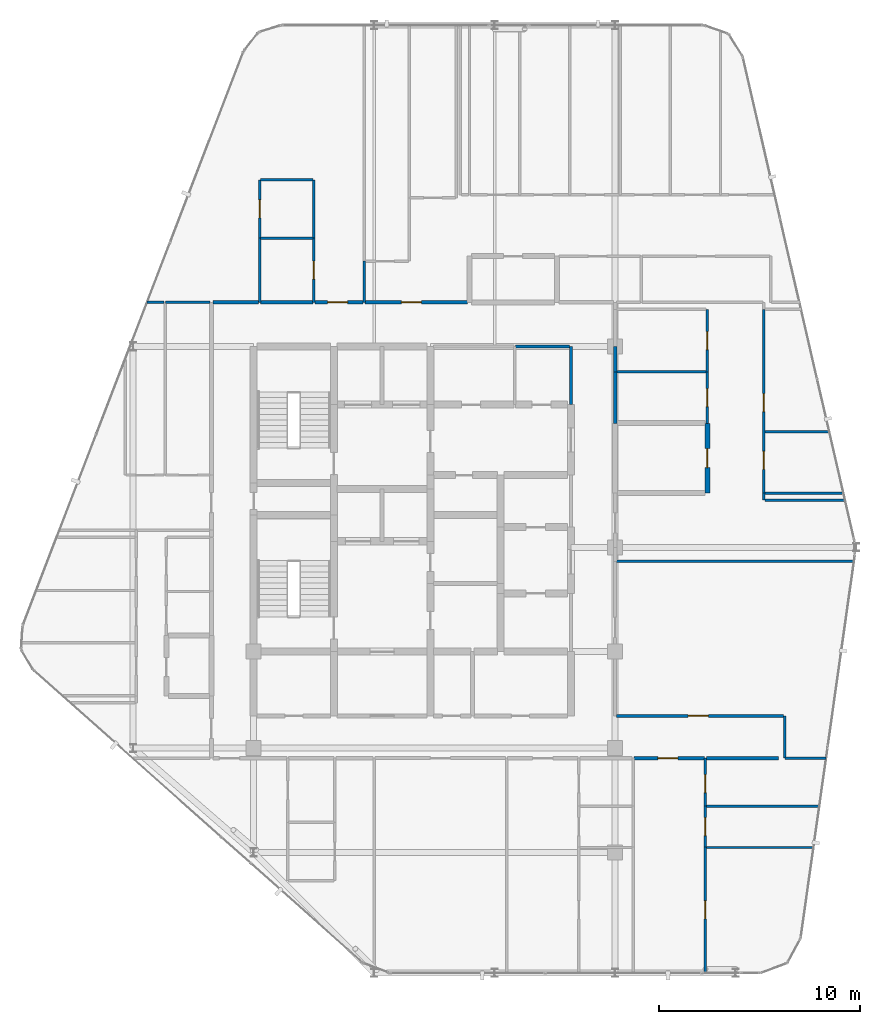
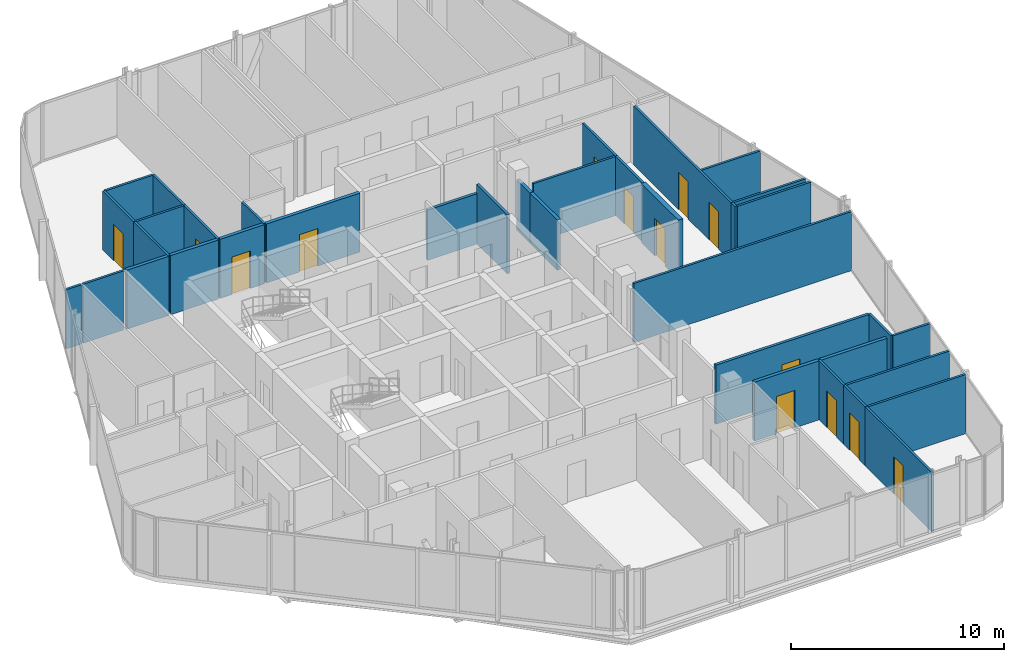
# One storey, part 28 of 30: 37 walls, 14 doors, 14 openings.
"""IFC4 building model written with IfcOpenShell, lengths in metres."""

import ifcopenshell
import ifcopenshell.guid

model = None  # the IFC model being written
_history = None  # IfcOwnerHistory: only IFC2X3 demands one
_inside = {}  # id of a spatial element -> (the spatial element, [elements in it])
_under = {}  # id of a project, library or spatial element -> (it, [spatial elements below it])
_declared = {}  # id of a project -> (the project, [libraries it declares])
_typed = {}  # id of a type object -> (the type object, [elements of that type])
_made_of = {}  # id of a material, layer set ... -> (it, [elements and type objects made of it])


def new_model(schema):
    """Start an empty IFC model of exactly this schema.

    Asked for "IFC4X3", IfcOpenShell would pick the latest addendum, in which some entities
    have other attributes; the version numbers below select the first issue.
    IFC2X3 requires an IfcOwnerHistory on every rooted entity: one is made here for all.
    """
    global model, _history
    if schema == "IFC4X3":
        model = ifcopenshell.file(schema_version=(4, 3, 0, 0))
    else:
        model = ifcopenshell.file(schema=schema)
    _inside.clear()
    _under.clear()
    _declared.clear()
    _typed.clear()
    _made_of.clear()
    _history = None
    if model.schema == "IFC2X3":
        org = make("IfcOrganization", Name="unknown")
        user = make(
            "IfcPersonAndOrganization",
            ThePerson=make("IfcPerson", FamilyName="unknown"),
            TheOrganization=org,
        )
        app = make(
            "IfcApplication",
            ApplicationDeveloper=org,
            Version="unknown",
            ApplicationFullName="unknown",
            ApplicationIdentifier="unknown",
        )
        _history = make(
            "IfcOwnerHistory",
            OwningUser=user,
            OwningApplication=app,
            ChangeAction="ADDED",
            CreationDate=0,
        )
    return model


def make(cls, **values):
    """One entity of the class cls with the attributes given. An attribute that is None is left unset."""
    return model.create_entity(
        cls, **{name: value for name, value in values.items() if value is not None}
    )


def rooted(cls, **values):
    """An entity with a GlobalId (a new one), such as an element, a storey or a relation."""
    return make(cls, GlobalId=ifcopenshell.guid.new(), OwnerHistory=_history, **values)


def si_unit(unit_type, name, prefix=None):
    """IfcSIUnit, for example si_unit("LENGTHUNIT", "METRE", prefix="MILLI")."""
    return make("IfcSIUnit", UnitType=unit_type, Prefix=prefix, Name=name)


def assignment(units):
    """IfcUnitAssignment: the units of a project."""
    return None if units is None else make("IfcUnitAssignment", Units=units)


def point(xyz):
    """IfcCartesianPoint."""
    return None if xyz is None else make("IfcCartesianPoint", Coordinates=xyz)


def direction(xyz):
    """IfcDirection."""
    return None if xyz is None else make("IfcDirection", DirectionRatios=xyz)


def frame(location, z_axis=None, x_axis=None):
    """IfcAxis2Placement3D, a coordinate frame: its origin and axes. An axis left out is left unset."""
    return make(
        "IfcAxis2Placement3D",
        Location=point(location),
        Axis=direction(z_axis),
        RefDirection=direction(x_axis),
    )


def frame_2d(location, x_axis=None):
    """IfcAxis2Placement2D, a coordinate frame in the plane: its origin and x axis."""
    return make(
        "IfcAxis2Placement2D", Location=point(location), RefDirection=direction(x_axis)
    )


def origin():
    """The frame at (0, 0, 0) with its axes left unset."""
    return frame((0.0, 0.0, 0.0))


def place(relative_to, where):
    """IfcLocalPlacement: puts the frame where relative to a parent placement (None: the world)."""
    return make(
        "IfcLocalPlacement", PlacementRelTo=relative_to, RelativePlacement=where
    )


def context(
    kind, dimensions, precision=None, world=None, true_north=None, identifier=None
):
    """IfcGeometricRepresentationContext, for example the 3D "Model" context."""
    return make(
        "IfcGeometricRepresentationContext",
        ContextIdentifier=identifier,
        ContextType=kind,
        CoordinateSpaceDimension=dimensions,
        Precision=precision,
        WorldCoordinateSystem=world,
        TrueNorth=true_north,
    )


def subcontext(parent, identifier, kind, view, scale=None):
    """IfcGeometricRepresentationSubContext, for example "Body" below "Model"."""
    return make(
        "IfcGeometricRepresentationSubContext",
        ContextIdentifier=identifier,
        ContextType=kind,
        ParentContext=parent,
        TargetScale=scale,
        TargetView=view,
    )


def project(units=None, contexts=None):
    """IfcProject with its units and contexts."""
    return rooted(
        "IfcProject",
        Name="project",
        RepresentationContexts=contexts,
        UnitsInContext=assignment(units),
    )


def spatial(cls, under=None, at=None, **own):
    """A site, building, storey or space (cls), placed at a placement, below another one or the project."""
    s = rooted(cls, ObjectPlacement=at, **own)
    if under is not None:
        _under.setdefault(under.id(), (under, []))[1].append(s)
    return s


def profile(cls, at=None, kind="AREA", **sizes):
    """A parametric profile (cls). Its sizes go by their IFC names, for example OverallWidth=200.0."""
    return make(cls, ProfileType=kind, Position=at, **sizes)


def rectangle(**sizes):
    """IfcRectangleProfileDef."""
    return profile("IfcRectangleProfileDef", **sizes)


def extrude(swept, where, along, depth):
    """IfcExtrudedAreaSolid: the profile swept, set in the frame where, extruded along a direction by depth."""
    return make(
        "IfcExtrudedAreaSolid",
        SweptArea=swept,
        Position=where,
        ExtrudedDirection=direction(along),
        Depth=depth,
    )


def shape(context_of_items, identifier, shape_type, items):
    """IfcShapeRepresentation: the items that make up one representation, for example the "Body"."""
    return make(
        "IfcShapeRepresentation",
        ContextOfItems=context_of_items,
        RepresentationIdentifier=identifier,
        RepresentationType=shape_type,
        Items=items,
    )


def material(Name=None, Category=None):
    """IfcMaterial."""
    return make("IfcMaterial", Name=Name, Category=Category)


def layer(
    of_material, thickness, ventilated=None, Name=None, Category=None, Priority=None
):
    """IfcMaterialLayer: one layer of a wall or slab, of a material (None: an air gap)."""
    return make(
        "IfcMaterialLayer",
        Material=of_material,
        LayerThickness=thickness,
        IsVentilated=ventilated,
        Name=Name,
        Category=Category,
        Priority=Priority,
    )


def layer_set(layers, Name=None):
    """IfcMaterialLayerSet."""
    return make("IfcMaterialLayerSet", MaterialLayers=layers, LayerSetName=Name)


def made_of(thing, what):
    """Note that an element or type object is made of a material, layer set ...; save() writes the relation."""
    if what is not None:
        _made_of.setdefault(what.id(), (what, []))[1].append(thing)
    return thing


def type_object(cls, material=None, **own):
    """A type object (cls), such as IfcWallType, which elements share."""
    return made_of(rooted(cls, **own), material)


def element(
    cls,
    number,
    at=None,
    inside=None,
    cuts=None,
    type_object=None,
    material=None,
    context=None,
    identifier="Body",
    shape_type=None,
    held_by="IfcProductDefinitionShape",
    body=None,
    shapes=None,
    **own,
):
    """One element of the class cls, such as IfcWall. Its Tag is "e" and its number.

    at: its placement. inside: the storey or other place that contains it. cuts: it is an
    opening in that element (IfcRelVoidsElement). A single representation is given by context,
    identifier, shape_type and body (its items); several are given by shapes. held_by: the class
    of the entity that holds the representations. save() writes the other relations.
    """
    e = rooted(cls, Tag="e%d" % number, ObjectPlacement=at, **own)
    if body is not None:
        shapes = [shape(context, identifier, shape_type, body)]
    if shapes is not None:
        e.Representation = make(held_by, Representations=shapes)
    if inside is not None:
        _inside.setdefault(inside.id(), (inside, []))[1].append(e)
    if cuts is not None:
        rooted(
            "IfcRelVoidsElement", RelatingBuildingElement=cuts, RelatedOpeningElement=e
        )
    if type_object is not None:
        _typed.setdefault(type_object.id(), (type_object, []))[1].append(e)
    return made_of(e, material)


def fill(opening, filler):
    """IfcRelFillsElement: the door or window that sits in an opening."""
    return rooted(
        "IfcRelFillsElement",
        RelatingOpeningElement=opening,
        RelatedBuildingElement=filler,
    )


def aggregate(whole, parts):
    """IfcRelAggregates: a whole, such as a stair, and the parts it consists of."""
    return rooted("IfcRelAggregates", RelatingObject=whole, RelatedObjects=parts)


def save(model, path):
    """Write the relations noted so far, then the file.

    IfcRelAggregates (storeys below a building ...), IfcRelContainedInSpatialStructure (elements
    in a storey), IfcRelDefinesByType, IfcRelAssociatesMaterial and IfcRelDeclares: one each for
    every whole, place, type object, material and project.
    """
    for whole, parts in _under.values():
        aggregate(whole, parts)
    for where, things in _inside.values():
        rooted(
            "IfcRelContainedInSpatialStructure",
            RelatedElements=things,
            RelatingStructure=where,
        )
    for kind, things in _typed.values():
        rooted("IfcRelDefinesByType", RelatedObjects=things, RelatingType=kind)
    for what, things in _made_of.values():
        rooted("IfcRelAssociatesMaterial", RelatedObjects=things, RelatingMaterial=what)
    for by, libraries in _declared.values():
        rooted("IfcRelDeclares", RelatingContext=by, RelatedDefinitions=libraries)
    model.write(path)


model = new_model("IFC4")

# Units and contexts
model_context = context("Model", 3, precision=1e-05, world=origin(), true_north=direction((0.0, 1.0)))
body_context = subcontext(model_context, "Body", "Model", "MODEL_VIEW")
ifc_project = project(units=[si_unit("LENGTHUNIT", "METRE"), si_unit("AREAUNIT", "SQUARE_METRE"), si_unit("VOLUMEUNIT", "CUBIC_METRE"), si_unit("PLANEANGLEUNIT", "RADIAN"), si_unit("MASSUNIT", "GRAM", prefix="KILO")], contexts=[model_context])

# Site, building, storey
site_placement = place(None, origin())
site = spatial("IfcSite", under=ifc_project, at=site_placement, CompositionType="ELEMENT")
building_placement = place(site_placement, origin())
building = spatial("IfcBuilding", under=site, at=building_placement, Name="Keshet Zoharim Tower", CompositionType="ELEMENT")
storey_placement = place(building_placement, frame((0.0, 0.0, 280.60009765625)))
storey = spatial("IfcBuildingStorey", under=building, at=storey_placement, Name="L70", CompositionType="ELEMENT", Elevation=280.60009765625)

# Wall
ifc_material_1 = material(Name="Gypsum Plasterboard", Category="gypsum")
ifc_layer_1 = layer(ifc_material_1, 0.14990234375)
ifc_layer_set_1 = layer_set([ifc_layer_1], Name="Gypsum Plasterboard")
wall_type_1 = type_object("IfcWallType", Name="WL-CLIN-150", PredefinedType="STANDARD", material=ifc_layer_set_1)
wall_1_placement = place(storey_placement, frame((30.800048828125, 35.0, 0.0), z_axis=(0.0, 0.0, 1.0), x_axis=(0.0, 1.0, 0.0)))
element("IfcWall", 1, at=wall_1_placement, inside=storey, type_object=wall_type_1, Name="L70 Interior Wall 065", PredefinedType="STANDARD", context=body_context, shape_type="SweptSolid", body=[
    extrude(rectangle(XDim=2.89990234375, YDim=0.14990234375, at=frame_2d((1.449951171875, 0.0))), origin(), (0.0, 0.0, 1.0), 3.389892578125),
])

# Wall, opening, door
wall_2_placement = place(storey_placement, frame((33.06005859375, 19.5, 0.0), z_axis=(0.0, 0.0, 1.0), x_axis=(1.0, 0.0, 0.0)))
wall_2 = element("IfcWall", 2, at=wall_2_placement, inside=storey, type_object=wall_type_1, Name="L70 Interior Wall 113", PredefinedType="STANDARD", context=body_context, shape_type="SweptSolid", body=[
    extrude(rectangle(XDim=8.322998046875, YDim=0.14990234375, at=frame_2d((4.16162109375, 0.0))), origin(), (0.0, 0.0, 1.0), 3.389892578125),
])
opening_1_placement = place(wall_2_placement, frame((3.5830078125, 0.0, 0.0)))
opening_1 = element("IfcOpeningElement", 3, at=opening_1_placement, cuts=wall_2, Name="Opening D-F310", PredefinedType="OPENING", context=body_context, shape_type="SweptSolid", body=[
    extrude(rectangle(XDim=1.0, YDim=2.14990234375, at=frame_2d((0.5, 1.074951171875))), frame((0.0, 0.0849609375, 0.0), z_axis=(0.0, -1.0, 0.0), x_axis=(1.0, 0.0, 0.0)), (0.0, 0.0, 1.0), 0.169921875),
])
ifc_material_2 = material(Name="Hardwood Timber", Category="wood")
door_type_1 = type_object("IfcDoorType", Name="DR-FD30-100", OperationType="NOTDEFINED", PredefinedType="DOOR", material=ifc_material_2)
door_1_placement = place(opening_1_placement, origin())
door_1 = element("IfcDoor", 4, at=door_1_placement, inside=storey, type_object=door_type_1, Name="L70 South West Residents Services Suite Door 1", OperationType="SINGLE_SWING_LEFT", OverallHeight=2.14990234375, OverallWidth=1.0, PredefinedType="DOOR", context=body_context, shape_type="SweptSolid", body=[
    extrude(rectangle(XDim=1.0, YDim=2.14990234375, at=frame_2d((0.5, 1.074951171875))), frame((0.0, 0.02490234375, 0.0), z_axis=(0.0, -1.0, 0.0), x_axis=(1.0, 0.0, 0.0)), (0.0, 0.0, 1.0), 0.050048828125),
])
fill(opening_1, door_1)

# Walls
wall_3_placement = place(storey_placement, frame((28.044921875, 37.89990234375, 0.0), z_axis=(0.0, 0.0, 1.0), x_axis=(1.0, 0.0, 0.0)))
element("IfcWall", 5, at=wall_3_placement, inside=storey, type_object=wall_type_1, Name="L70 Interior Wall 155", PredefinedType="STANDARD", context=body_context, shape_type="SweptSolid", body=[
    extrude(rectangle(XDim=2.695068359375, YDim=0.14990234375, at=frame_2d((1.34765625, 0.0))), origin(), (0.0, 0.0, 1.0), 2.889892578125),
])
ifc_layer_2 = layer(ifc_material_1, 0.179931640625)
ifc_layer_set_2 = layer_set([ifc_layer_2], Name="Gypsum Plasterboard")
wall_type_2 = type_object("IfcWallType", Name="WL-CORR-180", PredefinedType="STANDARD", material=ifc_layer_set_2)
wall_4_placement = place(storey_placement, frame((33.0, 34.076904296875, 0.0), z_axis=(0.0, 0.0, 1.0), x_axis=(0.0, 1.0, 0.0)))
element("IfcWall", 6, at=wall_4_placement, inside=storey, type_object=wall_type_2, Name="L70 Interior Wall 072", PredefinedType="STANDARD", context=body_context, shape_type="SweptSolid", body=[
    extrude(rectangle(XDim=2.56201171875, YDim=0.179931640625, at=frame_2d((1.281005859375, 0.0))), origin(), (0.0, 0.0, 1.0), 2.889892578125),
])
wall_5_placement = place(storey_placement, frame((33.0, 36.638916015625, 0.0), z_axis=(0.0, 0.0, 1.0), x_axis=(0.0, 1.0, 0.0)))
element("IfcWall", 7, at=wall_5_placement, inside=storey, type_object=wall_type_2, Name="L70 Interior Wall 073", PredefinedType="STANDARD", context=body_context, shape_type="SweptSolid", body=[
    extrude(rectangle(XDim=1.260986328125, YDim=0.179931640625, at=frame_2d((0.63037109375, 0.0))), origin(), (0.0, 0.0, 1.0), 2.889892578125),
])

# Wall, opening, door
wall_6_placement = place(storey_placement, frame((33.945068359375, 17.39990234375, 0.0), z_axis=(0.0, 0.0, 1.0), x_axis=(1.0, 0.0, 0.0)))
wall_6 = element("IfcWall", 8, at=wall_6_placement, inside=storey, type_object=wall_type_2, Name="L70 Interior Wall 106", PredefinedType="STANDARD", context=body_context, shape_type="SweptSolid", body=[
    extrude(rectangle(XDim=3.510009765625, YDim=0.179931640625, at=frame_2d((1.7548828125, 0.0))), origin(), (0.0, 0.0, 1.0), 3.389892578125),
])
opening_2_placement = place(wall_6_placement, frame((1.18505859375, 0.0, 0.0)))
opening_2 = element("IfcOpeningElement", 9, at=opening_2_placement, cuts=wall_6, Name="Opening D-F310", PredefinedType="OPENING", context=body_context, shape_type="SweptSolid", body=[
    extrude(rectangle(XDim=1.0, YDim=2.14990234375, at=frame_2d((0.5, 1.074951171875))), frame((0.0, 0.10009765625, 0.0), z_axis=(0.0, -1.0, 0.0), x_axis=(1.0, 0.0, 0.0)), (0.0, 0.0, 1.0), 0.199951171875),
])
door_2_placement = place(opening_2_placement, origin())
door_2 = element("IfcDoor", 10, at=door_2_placement, inside=storey, type_object=door_type_1, Name="Apartment 7003 Entrance Door", OperationType="SINGLE_SWING_RIGHT", OverallHeight=2.14990234375, OverallWidth=1.0, PredefinedType="DOOR", context=body_context, shape_type="SweptSolid", body=[
    extrude(rectangle(XDim=1.0, YDim=2.14990234375, at=frame_2d((0.5, 1.074951171875))), frame((0.0, 0.02490234375, 0.0), z_axis=(0.0, -1.0, 0.0), x_axis=(1.0, 0.0, 0.0)), (0.0, 0.0, 1.0), 0.050048828125),
])
fill(opening_2, door_2)

# Walls
wall_7_placement = place(storey_placement, frame((37.544921875, 17.39990234375, 0.0), z_axis=(0.0, 0.0, 1.0), x_axis=(1.0, 0.0, 0.0)))
element("IfcWall", 11, at=wall_7_placement, inside=storey, type_object=wall_type_2, Name="L70 Interior Wall 107", PredefinedType="STANDARD", context=body_context, shape_type="SweptSolid", body=[
    extrude(rectangle(XDim=3.5849609375, YDim=0.179931640625, at=frame_2d((1.79248046875, 0.0))), origin(), (0.0, 0.0, 1.0), 3.389892578125),
])
wall_8_placement = place(storey_placement, frame((12.97509765625, 40.10009765625, 0.0), z_axis=(0.0, 0.0, 1.0), x_axis=(1.0, 0.0, 0.0)))
element("IfcWall", 12, at=wall_8_placement, inside=storey, type_object=wall_type_2, Name="L70 Interior Wall 160", PredefinedType="STANDARD", context=body_context, shape_type="SweptSolid", body=[
    extrude(rectangle(XDim=2.27978515625, YDim=0.179931640625, at=frame_2d((1.139892578125, 0.0))), origin(), (0.0, 0.0, 1.0), 3.389892578125),
])
wall_9_placement = place(storey_placement, frame((15.344970703125, 40.10009765625, 0.0), z_axis=(0.0, 0.0, 1.0), x_axis=(1.0, 0.0, 0.0)))
element("IfcWall", 13, at=wall_9_placement, inside=storey, type_object=wall_type_2, Name="L70 Interior Wall 161", PredefinedType="STANDARD", context=body_context, shape_type="SweptSolid", body=[
    extrude(rectangle(XDim=2.610107421875, YDim=0.179931640625, at=frame_2d((1.30517578125, 0.0))), origin(), (0.0, 0.0, 1.0), 3.389892578125),
])

# Wall, opening, door
wall_10_placement = place(storey_placement, frame((18.044921875, 40.10009765625, 0.0), z_axis=(0.0, 0.0, 1.0), x_axis=(1.0, 0.0, 0.0)))
wall_10 = element("IfcWall", 14, at=wall_10_placement, inside=storey, type_object=wall_type_2, Name="L70 Interior Wall 162", PredefinedType="STANDARD", context=body_context, shape_type="SweptSolid", body=[
    extrude(rectangle(XDim=2.41015625, YDim=0.179931640625, at=frame_2d((1.205078125, 0.0))), origin(), (0.0, 0.0, 1.0), 3.389892578125),
])
opening_3_placement = place(wall_10_placement, frame((0.634033203125, 0.0, 0.0)))
opening_3 = element("IfcOpeningElement", 15, at=opening_3_placement, cuts=wall_10, Name="Opening D-F310", PredefinedType="OPENING", context=body_context, shape_type="SweptSolid", body=[
    extrude(rectangle(XDim=1.0, YDim=2.14990234375, at=frame_2d((0.5, 1.074951171875))), frame((0.0, 0.10009765625, 0.0), z_axis=(0.0, -1.0, 0.0), x_axis=(1.0, 0.0, 0.0)), (0.0, 0.0, 1.0), 0.199951171875),
])
door_3_placement = place(opening_3_placement, origin())
door_3 = element("IfcDoor", 16, at=door_3_placement, inside=storey, type_object=door_type_1, Name="Apartment 7004 Entrance Door", OperationType="SINGLE_SWING_RIGHT", OverallHeight=2.14990234375, OverallWidth=1.0, PredefinedType="DOOR", context=body_context, shape_type="SweptSolid", body=[
    extrude(rectangle(XDim=1.0, YDim=2.14990234375, at=frame_2d((0.5, 1.074951171875))), frame((0.0, 0.02490234375, 0.0), z_axis=(0.0, -1.0, 0.0), x_axis=(1.0, 0.0, 0.0)), (0.0, 0.0, 1.0), 0.050048828125),
])
fill(opening_3, door_3)

wall_11_placement = place(storey_placement, frame((20.544921875, 40.10009765625, 0.0), z_axis=(0.0, 0.0, 1.0), x_axis=(1.0, 0.0, 0.0)))
wall_11 = element("IfcWall", 17, at=wall_11_placement, inside=storey, type_object=wall_type_2, Name="L70 Interior Wall 163", PredefinedType="STANDARD", context=body_context, shape_type="SweptSolid", body=[
    extrude(rectangle(XDim=5.094970703125, YDim=0.179931640625, at=frame_2d((2.54736328125, 0.0))), origin(), (0.0, 0.0, 1.0), 3.389892578125),
])
opening_4_placement = place(wall_11_placement, frame((1.806884765625, 0.0, 0.0)))
opening_4 = element("IfcOpeningElement", 18, at=opening_4_placement, cuts=wall_11, Name="Opening D-F310", PredefinedType="OPENING", context=body_context, shape_type="SweptSolid", body=[
    extrude(rectangle(XDim=1.0, YDim=2.14990234375, at=frame_2d((0.5, 1.074951171875))), frame((0.0, 0.10009765625, 0.0), z_axis=(0.0, -1.0, 0.0), x_axis=(1.0, 0.0, 0.0)), (0.0, 0.0, 1.0), 0.199951171875),
])
door_4_placement = place(opening_4_placement, origin())
door_4 = element("IfcDoor", 19, at=door_4_placement, inside=storey, type_object=door_type_1, Name="Apartment 7005 Entrance Door", OperationType="SINGLE_SWING_LEFT", OverallHeight=2.14990234375, OverallWidth=1.0, PredefinedType="DOOR", context=body_context, shape_type="SweptSolid", body=[
    extrude(rectangle(XDim=1.0, YDim=2.14990234375, at=frame_2d((0.5, 1.074951171875))), frame((0.0, 0.02490234375, 0.0), z_axis=(0.0, -1.0, 0.0), x_axis=(1.0, 0.0, 0.0)), (0.0, 0.0, 1.0), 0.050048828125),
])
fill(opening_4, door_4)

ifc_material_3 = material(Name="Concrete C50/60", Category="concrete")
ifc_layer_3 = layer(ifc_material_3, 0.25)
ifc_layer_set_3 = layer_set([ifc_layer_3], Name="Concrete C50/60")
wall_type_3 = type_object("IfcWallType", Name="WL-MAMAD-250", PredefinedType="STANDARD", material=ifc_layer_set_3)
wall_12_placement = place(storey_placement, frame((37.60009765625, 30.60009765625, 0.0), z_axis=(0.0, 0.0, 1.0), x_axis=(0.0, 1.0, 0.0)))
wall_12 = element("IfcWall", 20, at=wall_12_placement, inside=storey, type_object=wall_type_3, Name="L70 Interior Wall 084", PredefinedType="STANDARD", context=body_context, shape_type="SweptSolid", body=[
    extrude(rectangle(XDim=3.476806640625, YDim=0.25, at=frame_2d((1.73828125, 0.0))), origin(), (0.0, 0.0, 1.0), 3.389892578125),
])
opening_5_placement = place(wall_12_placement, frame((1.262939453125, 0.0, 0.0)))
opening_5 = element("IfcOpeningElement", 21, at=opening_5_placement, cuts=wall_12, Name="Opening D-F695", PredefinedType="OPENING", context=body_context, shape_type="SweptSolid", body=[
    extrude(rectangle(XDim=0.949951171875, YDim=2.14990234375, at=frame_2d((0.47509765625, 1.074951171875))), frame((0.0, 0.135009765625, 0.0), z_axis=(0.0, -1.0, 0.0), x_axis=(1.0, 0.0, 0.0)), (0.0, 0.0, 1.0), 0.27001953125),
])
door_type_2 = type_object("IfcDoorType", Name="DR-FD60-095", OperationType="NOTDEFINED", PredefinedType="DOOR", material=ifc_material_2)
door_5_placement = place(opening_5_placement, origin())
door_5 = element("IfcDoor", 22, at=door_5_placement, inside=storey, type_object=door_type_2, Name="Apartment 7008 Study and Shelter Room Door", OperationType="SINGLE_SWING_RIGHT", OverallHeight=2.14990234375, OverallWidth=0.949951171875, PredefinedType="DOOR", context=body_context, shape_type="SweptSolid", body=[
    extrude(rectangle(XDim=0.949951171875, YDim=2.14990234375, at=frame_2d((0.47509765625, 1.074951171875))), frame((0.0, 0.02490234375, 0.0), z_axis=(0.0, -1.0, 0.0), x_axis=(1.0, 0.0, 0.0)), (0.0, 0.0, 1.0), 0.050048828125),
])
fill(opening_5, door_5)

# Wall
ifc_layer_4 = layer(ifc_material_1, 0.1201171875)
ifc_layer_set_4 = layer_set([ifc_layer_4], Name="Gypsum Plasterboard")
wall_type_4 = type_object("IfcWallType", Name="WL-PART-120", PredefinedType="PARTITIONING", material=ifc_layer_set_4)
wall_13_placement = place(storey_placement, frame((15.300048828125, 40.10009765625, 0.0), z_axis=(0.0, 0.0, 1.0), x_axis=(0.0, 1.0, 0.0)))
element("IfcWall", 23, at=wall_13_placement, inside=storey, type_object=wall_type_4, Name="L70 Interior Wall 020", PredefinedType="PARTITIONING", context=body_context, shape_type="SweptSolid", body=[
    extrude(rectangle(XDim=3.199951171875, YDim=0.1201171875, at=frame_2d((1.60009765625, 0.0))), origin(), (0.0, 0.0, 1.0), 3.389892578125),
])

# Wall, opening, door
wall_14_placement = place(storey_placement, frame((18.0, 40.10009765625, 0.0), z_axis=(0.0, 0.0, 1.0), x_axis=(0.0, 1.0, 0.0)))
wall_14 = element("IfcWall", 24, at=wall_14_placement, inside=storey, type_object=wall_type_4, Name="L70 Interior Wall 024", PredefinedType="PARTITIONING", context=body_context, shape_type="SweptSolid", body=[
    extrude(rectangle(XDim=3.199951171875, YDim=0.1201171875, at=frame_2d((1.60009765625, 0.0))), origin(), (0.0, 0.0, 1.0), 3.389892578125),
])
opening_6_placement = place(wall_14_placement, frame((1.14990234375, 0.0, 0.0)))
opening_6 = element("IfcOpeningElement", 25, at=opening_6_placement, cuts=wall_14, Name="Opening D-IN90", PredefinedType="OPENING", context=body_context, shape_type="SweptSolid", body=[
    extrude(rectangle(XDim=0.89990234375, YDim=2.14990234375, at=frame_2d((0.449951171875, 1.074951171875))), frame((0.0, 0.070068359375, 0.0), z_axis=(0.0, -1.0, 0.0), x_axis=(1.0, 0.0, 0.0)), (0.0, 0.0, 1.0), 0.14013671875),
])
door_type_3 = type_object("IfcDoorType", Name="DR-INT-090", OperationType="NOTDEFINED", PredefinedType="DOOR", material=ifc_material_2)
door_6_placement = place(opening_6_placement, origin())
door_6 = element("IfcDoor", 26, at=door_6_placement, inside=storey, type_object=door_type_3, Name="Apartment 7004 Kitchenette Door", OperationType="SINGLE_SWING_LEFT", OverallHeight=2.14990234375, OverallWidth=0.89990234375, PredefinedType="DOOR", context=body_context, shape_type="SweptSolid", body=[
    extrude(rectangle(XDim=0.89990234375, YDim=2.14990234375, at=frame_2d((0.449951171875, 1.074951171875))), frame((0.0, 0.02490234375, 0.0), z_axis=(0.0, -1.0, 0.0), x_axis=(1.0, 0.0, 0.0)), (0.0, 0.0, 1.0), 0.050048828125),
])
fill(opening_6, door_6)

# Wall
wall_15_placement = place(storey_placement, frame((20.5, 40.10009765625, 0.0), z_axis=(0.0, 0.0, 1.0), x_axis=(0.0, 1.0, 0.0)))
element("IfcWall", 27, at=wall_15_placement, inside=storey, type_object=wall_type_4, Name="L70 Interior Wall 033", PredefinedType="PARTITIONING", context=body_context, shape_type="SweptSolid", body=[
    extrude(rectangle(XDim=2.0498046875, YDim=0.1201171875, at=frame_2d((1.02490234375, 0.0))), origin(), (0.0, 0.0, 1.0), 3.389892578125),
])

# Wall, opening, door
wall_16_placement = place(storey_placement, frame((37.5, 6.7099609375, 0.0), z_axis=(0.0, 0.0, 1.0), x_axis=(0.0, 1.0, 0.0)))
wall_16 = element("IfcWall", 28, at=wall_16_placement, inside=storey, type_object=wall_type_4, Name="L70 Interior Wall 081", PredefinedType="PARTITIONING", context=body_context, shape_type="SweptSolid", body=[
    extrude(rectangle(XDim=6.260009765625, YDim=0.1201171875, at=frame_2d((3.1298828125, 0.0))), origin(), (0.0, 0.0, 1.0), 3.389892578125),
])
opening_7_placement = place(wall_16_placement, frame((2.679931640625, 0.0, 0.0)))
opening_7 = element("IfcOpeningElement", 29, at=opening_7_placement, cuts=wall_16, Name="Opening D-IN90", PredefinedType="OPENING", context=body_context, shape_type="SweptSolid", body=[
    extrude(rectangle(XDim=0.89990234375, YDim=2.14990234375, at=frame_2d((0.449951171875, 1.074951171875))), frame((0.0, 0.070068359375, 0.0), z_axis=(0.0, -1.0, 0.0), x_axis=(1.0, 0.0, 0.0)), (0.0, 0.0, 1.0), 0.14013671875),
])
door_7_placement = place(opening_7_placement, origin())
door_7 = element("IfcDoor", 30, at=door_7_placement, inside=storey, type_object=door_type_3, Name="Apartment 7003 Bedroom 1 Door", OperationType="SINGLE_SWING_LEFT", OverallHeight=2.14990234375, OverallWidth=0.89990234375, PredefinedType="DOOR", context=body_context, shape_type="SweptSolid", body=[
    extrude(rectangle(XDim=0.89990234375, YDim=2.14990234375, at=frame_2d((0.449951171875, 1.074951171875))), frame((0.0, 0.02490234375, 0.0), z_axis=(0.0, -1.0, 0.0), x_axis=(1.0, 0.0, 0.0)), (0.0, 0.0, 1.0), 0.050048828125),
])
fill(opening_7, door_7)

wall_17_placement = place(storey_placement, frame((37.5, 12.969970703125, 0.0), z_axis=(0.0, 0.0, 1.0), x_axis=(0.0, 1.0, 0.0)))
wall_17 = element("IfcWall", 31, at=wall_17_placement, inside=storey, type_object=wall_type_4, Name="L70 Interior Wall 082", PredefinedType="PARTITIONING", context=body_context, shape_type="SweptSolid", body=[
    extrude(rectangle(XDim=2.0380859375, YDim=0.1201171875, at=frame_2d((1.01904296875, 0.0))), origin(), (0.0, 0.0, 1.0), 3.389892578125),
])
opening_8_placement = place(wall_17_placement, frame((0.569091796875, 0.0, 0.0)))
opening_8 = element("IfcOpeningElement", 32, at=opening_8_placement, cuts=wall_17, Name="Opening D-IN90", PredefinedType="OPENING", context=body_context, shape_type="SweptSolid", body=[
    extrude(rectangle(XDim=0.89990234375, YDim=2.14990234375, at=frame_2d((0.449951171875, 1.074951171875))), frame((0.0, 0.070068359375, 0.0), z_axis=(0.0, -1.0, 0.0), x_axis=(1.0, 0.0, 0.0)), (0.0, 0.0, 1.0), 0.14013671875),
])
door_8_placement = place(opening_8_placement, origin())
door_8 = element("IfcDoor", 33, at=door_8_placement, inside=storey, type_object=door_type_3, Name="Apartment 7003 Kitchen Door", OperationType="SINGLE_SWING_RIGHT", OverallHeight=2.14990234375, OverallWidth=0.89990234375, PredefinedType="DOOR", context=body_context, shape_type="SweptSolid", body=[
    extrude(rectangle(XDim=0.89990234375, YDim=2.14990234375, at=frame_2d((0.449951171875, 1.074951171875))), frame((0.0, 0.02490234375, 0.0), z_axis=(0.0, -1.0, 0.0), x_axis=(1.0, 0.0, 0.0)), (0.0, 0.0, 1.0), 0.050048828125),
])
fill(opening_8, door_8)

wall_18_placement = place(storey_placement, frame((37.60009765625, 36.638916015625, 0.0), z_axis=(0.0, 0.0, 1.0), x_axis=(0.0, 1.0, 0.0)))
wall_18 = element("IfcWall", 34, at=wall_18_placement, inside=storey, type_object=wall_type_4, Name="L70 Interior Wall 086", PredefinedType="PARTITIONING", context=body_context, shape_type="SweptSolid", body=[
    extrude(rectangle(XDim=3.111083984375, YDim=0.1201171875, at=frame_2d((1.5556640625, 0.0))), origin(), (0.0, 0.0, 1.0), 3.389892578125),
])
opening_9_placement = place(wall_18_placement, frame((1.10595703125, 0.0, 0.0)))
opening_9 = element("IfcOpeningElement", 35, at=opening_9_placement, cuts=wall_18, Name="Opening D-IN90", PredefinedType="OPENING", context=body_context, shape_type="SweptSolid", body=[
    extrude(rectangle(XDim=0.89990234375, YDim=2.14990234375, at=frame_2d((0.449951171875, 1.074951171875))), frame((0.0, 0.070068359375, 0.0), z_axis=(0.0, -1.0, 0.0), x_axis=(1.0, 0.0, 0.0)), (0.0, 0.0, 1.0), 0.14013671875),
])
door_9_placement = place(opening_9_placement, origin())
door_9 = element("IfcDoor", 36, at=door_9_placement, inside=storey, type_object=door_type_3, Name="Apartment 7008 Kitchen Door", OperationType="SINGLE_SWING_RIGHT", OverallHeight=2.14990234375, OverallWidth=0.89990234375, PredefinedType="DOOR", context=body_context, shape_type="SweptSolid", body=[
    extrude(rectangle(XDim=0.89990234375, YDim=2.14990234375, at=frame_2d((0.449951171875, 1.074951171875))), frame((0.0, 0.02490234375, 0.0), z_axis=(0.0, -1.0, 0.0), x_axis=(1.0, 0.0, 0.0)), (0.0, 0.0, 1.0), 0.050048828125),
])
fill(opening_9, door_9)

# Wall
wall_19_placement = place(storey_placement, frame((40.39990234375, 30.25, 0.0), z_axis=(0.0, 0.0, 1.0), x_axis=(0.0, 1.0, 0.0)))
element("IfcWall", 37, at=wall_19_placement, inside=storey, type_object=wall_type_4, Name="L70 Interior Wall 088", PredefinedType="PARTITIONING", context=body_context, shape_type="SweptSolid", body=[
    extrude(rectangle(XDim=0.35009765625, YDim=0.1201171875, at=frame_2d((0.175048828125, 0.0))), origin(), (0.0, 0.0, 1.0), 3.389892578125),
])

# Wall, openings, doors
wall_20_placement = place(storey_placement, frame((40.39990234375, 30.60009765625, 0.0), z_axis=(0.0, 0.0, 1.0), x_axis=(0.0, 1.0, 0.0)))
wall_20 = element("IfcWall", 38, at=wall_20_placement, inside=storey, type_object=wall_type_4, Name="L70 Interior Wall 089", PredefinedType="PARTITIONING", context=body_context, shape_type="SweptSolid", body=[
    extrude(rectangle(XDim=9.14990234375, YDim=0.1201171875, at=frame_2d((4.574951171875, 0.0))), origin(), (0.0, 0.0, 1.0), 3.389892578125),
])
opening_10_placement = place(wall_20_placement, frame((1.177978515625, 0.0, 0.0)))
opening_10 = element("IfcOpeningElement", 39, at=opening_10_placement, cuts=wall_20, Name="Opening D-IN90", PredefinedType="OPENING", context=body_context, shape_type="SweptSolid", body=[
    extrude(rectangle(XDim=0.89990234375, YDim=2.14990234375, at=frame_2d((0.449951171875, 1.074951171875))), frame((0.0, 0.070068359375, 0.0), z_axis=(0.0, -1.0, 0.0), x_axis=(1.0, 0.0, 0.0)), (0.0, 0.0, 1.0), 0.14013671875),
])
opening_11_placement = place(wall_20_placement, frame((4.051025390625, 0.0, 0.0)))
opening_11 = element("IfcOpeningElement", 40, at=opening_11_placement, cuts=wall_20, Name="Opening D-IN90", PredefinedType="OPENING", context=body_context, shape_type="SweptSolid", body=[
    extrude(rectangle(XDim=0.89990234375, YDim=2.14990234375, at=frame_2d((0.449951171875, 1.074951171875))), frame((0.0, 0.070068359375, 0.0), z_axis=(0.0, -1.0, 0.0), x_axis=(1.0, 0.0, 0.0)), (0.0, 0.0, 1.0), 0.14013671875),
])
door_10_placement = place(opening_10_placement, origin())
door_10 = element("IfcDoor", 41, at=door_10_placement, inside=storey, type_object=door_type_3, Name="Apartment 7008 Bedroom 1 Door", OperationType="SINGLE_SWING_LEFT", OverallHeight=2.14990234375, OverallWidth=0.89990234375, PredefinedType="DOOR", context=body_context, shape_type="SweptSolid", body=[
    extrude(rectangle(XDim=0.89990234375, YDim=2.14990234375, at=frame_2d((0.449951171875, 1.074951171875))), frame((0.0, 0.02490234375, 0.0), z_axis=(0.0, -1.0, 0.0), x_axis=(1.0, 0.0, 0.0)), (0.0, 0.0, 1.0), 0.050048828125),
])
fill(opening_10, door_10)
door_11_placement = place(opening_11_placement, origin())
door_11 = element("IfcDoor", 42, at=door_11_placement, inside=storey, type_object=door_type_3, Name="Apartment 7008 Bedroom 2 Door", OperationType="SINGLE_SWING_RIGHT", OverallHeight=2.14990234375, OverallWidth=0.89990234375, PredefinedType="DOOR", context=body_context, shape_type="SweptSolid", body=[
    extrude(rectangle(XDim=0.89990234375, YDim=2.14990234375, at=frame_2d((0.449951171875, 1.074951171875))), frame((0.0, 0.02490234375, 0.0), z_axis=(0.0, -1.0, 0.0), x_axis=(1.0, 0.0, 0.0)), (0.0, 0.0, 1.0), 0.050048828125),
])
fill(opening_11, door_11)

# Walls
wall_21_placement = place(storey_placement, frame((41.449951171875, 17.39990234375, 0.0), z_axis=(0.0, 0.0, 1.0), x_axis=(0.0, 1.0, 0.0)))
element("IfcWall", 43, at=wall_21_placement, inside=storey, type_object=wall_type_4, Name="L70 Interior Wall 092", PredefinedType="PARTITIONING", context=body_context, shape_type="SweptSolid", body=[
    extrude(rectangle(XDim=2.09912109375, YDim=0.1201171875, at=frame_2d((1.049560546875, 0.0))), origin(), (0.0, 0.0, 1.0), 3.389892578125),
])
wall_22_placement = place(storey_placement, frame((37.544921875, 12.949951171875, 0.0), z_axis=(0.0, 0.0, 1.0), x_axis=(1.0, 0.0, 0.0)))
element("IfcWall", 44, at=wall_22_placement, inside=storey, type_object=wall_type_4, Name="L70 Interior Wall 095", PredefinedType="PARTITIONING", context=body_context, shape_type="SweptSolid", body=[
    extrude(rectangle(XDim=5.3291015625, YDim=0.1201171875, at=frame_2d((2.66455078125, 0.0))), origin(), (0.0, 0.0, 1.0), 3.389892578125),
])
wall_23_placement = place(storey_placement, frame((33.074951171875, 27.199951171875, 0.0), z_axis=(0.0, 0.0, 1.0), x_axis=(1.0, 0.0, 0.0)))
element("IfcWall", 45, at=wall_23_placement, inside=storey, type_object=wall_type_4, Name="L70 Interior Wall 128", PredefinedType="PARTITIONING", context=body_context, shape_type="SweptSolid", body=[
    extrude(rectangle(XDim=11.816162109375, YDim=0.1201171875, at=frame_2d((5.908203125, 0.0))), origin(), (0.0, 0.0, 1.0), 3.389892578125),
])
wall_24_placement = place(storey_placement, frame((40.465087890625, 30.25, 0.0), z_axis=(0.0, 0.0, 1.0), x_axis=(1.0, 0.0, 0.0)))
element("IfcWall", 46, at=wall_24_placement, inside=storey, type_object=wall_type_4, Name="L70 Interior Wall 137", PredefinedType="PARTITIONING", context=body_context, shape_type="SweptSolid", body=[
    extrude(rectangle(XDim=3.98193359375, YDim=0.1201171875, at=frame_2d((1.990966796875, 0.0))), origin(), (0.0, 0.0, 1.0), 3.389892578125),
])
wall_25_placement = place(storey_placement, frame((40.465087890625, 30.60009765625, 0.0), z_axis=(0.0, 0.0, 1.0), x_axis=(1.0, 0.0, 0.0)))
element("IfcWall", 47, at=wall_25_placement, inside=storey, type_object=wall_type_4, Name="L70 Interior Wall 139", PredefinedType="PARTITIONING", context=body_context, shape_type="SweptSolid", body=[
    extrude(rectangle(XDim=3.90185546875, YDim=0.1201171875, at=frame_2d((1.950927734375, 0.0))), origin(), (0.0, 0.0, 1.0), 3.389892578125),
])
wall_26_placement = place(storey_placement, frame((40.465087890625, 33.64990234375, 0.0), z_axis=(0.0, 0.0, 1.0), x_axis=(1.0, 0.0, 0.0)))
element("IfcWall", 48, at=wall_26_placement, inside=storey, type_object=wall_type_4, Name="L70 Interior Wall 146", PredefinedType="PARTITIONING", context=body_context, shape_type="SweptSolid", body=[
    extrude(rectangle(XDim=3.197998046875, YDim=0.1201171875, at=frame_2d((1.59912109375, 0.0))), origin(), (0.0, 0.0, 1.0), 3.389892578125),
])
wall_27_placement = place(storey_placement, frame((9.701904296875, 40.10009765625, 0.0), z_axis=(0.0, 0.0, 1.0), x_axis=(1.0, 0.0, 0.0)))
element("IfcWall", 49, at=wall_27_placement, inside=storey, type_object=wall_type_4, Name="L70 Interior Wall 158", PredefinedType="PARTITIONING", context=body_context, shape_type="SweptSolid", body=[
    extrude(rectangle(XDim=0.8310546875, YDim=0.1201171875, at=frame_2d((0.41552734375, 0.0))), origin(), (0.0, 0.0, 1.0), 3.389892578125),
])

# Wall, opening, door
ifc_layer_5 = layer(ifc_material_1, 0.1201171875)
ifc_layer_set_5 = layer_set([ifc_layer_5], Name="Gypsum Plasterboard")
wall_type_5 = type_object("IfcWallType", Name="WL-WET-120", PredefinedType="PARTITIONING", material=ifc_layer_set_5)
wall_28_placement = place(storey_placement, frame((15.300048828125, 43.300048828125, 0.0), z_axis=(0.0, 0.0, 1.0), x_axis=(0.0, 1.0, 0.0)))
wall_28 = element("IfcWall", 50, at=wall_28_placement, inside=storey, type_object=wall_type_5, Name="L70 Interior Wall 021", PredefinedType="PARTITIONING", context=body_context, shape_type="SweptSolid", body=[
    extrude(rectangle(XDim=2.89990234375, YDim=0.1201171875, at=frame_2d((1.449951171875, 0.0))), origin(), (0.0, 0.0, 1.0), 3.389892578125),
])
opening_12_placement = place(wall_28_placement, frame((1.0, 0.0, 0.0)))
opening_12 = element("IfcOpeningElement", 51, at=opening_12_placement, cuts=wall_28, Name="Opening D-WT90", PredefinedType="OPENING", context=body_context, shape_type="SweptSolid", body=[
    extrude(rectangle(XDim=0.89990234375, YDim=2.10009765625, at=frame_2d((0.449951171875, 1.050048828125))), frame((0.0, 0.070068359375, 0.0), z_axis=(0.0, -1.0, 0.0), x_axis=(1.0, 0.0, 0.0)), (0.0, 0.0, 1.0), 0.14013671875),
])
door_type_4 = type_object("IfcDoorType", Name="DR-WET-090", OperationType="NOTDEFINED", PredefinedType="DOOR", material=ifc_material_2)
door_12_placement = place(opening_12_placement, origin())
door_12 = element("IfcDoor", 52, at=door_12_placement, inside=storey, type_object=door_type_4, Name="Apartment 7004 Bathroom Door", OperationType="SINGLE_SWING_LEFT", OverallHeight=2.10009765625, OverallWidth=0.89990234375, PredefinedType="DOOR", context=body_context, shape_type="SweptSolid", body=[
    extrude(rectangle(XDim=0.89990234375, YDim=2.10009765625, at=frame_2d((0.449951171875, 1.050048828125))), frame((0.0, 0.02490234375, 0.0), z_axis=(0.0, -1.0, 0.0), x_axis=(1.0, 0.0, 0.0)), (0.0, 0.0, 1.0), 0.050048828125),
])
fill(opening_12, door_12)

# Wall
wall_29_placement = place(storey_placement, frame((18.0, 43.300048828125, 0.0), z_axis=(0.0, 0.0, 1.0), x_axis=(0.0, 1.0, 0.0)))
element("IfcWall", 53, at=wall_29_placement, inside=storey, type_object=wall_type_5, Name="L70 Interior Wall 025", PredefinedType="PARTITIONING", context=body_context, shape_type="SweptSolid", body=[
    extrude(rectangle(XDim=2.89990234375, YDim=0.1201171875, at=frame_2d((1.449951171875, 0.0))), origin(), (0.0, 0.0, 1.0), 3.389892578125),
])

# Wall, opening, door
wall_30_placement = place(storey_placement, frame((37.5, 15.008056640625, 0.0), z_axis=(0.0, 0.0, 1.0), x_axis=(0.0, 1.0, 0.0)))
wall_30 = element("IfcWall", 54, at=wall_30_placement, inside=storey, type_object=wall_type_5, Name="L70 Interior Wall 083", PredefinedType="PARTITIONING", context=body_context, shape_type="SweptSolid", body=[
    extrude(rectangle(XDim=2.391845703125, YDim=0.1201171875, at=frame_2d((1.19580078125, 0.0))), origin(), (0.0, 0.0, 1.0), 3.389892578125),
])
opening_13_placement = place(wall_30_placement, frame((0.675048828125, 0.0, 0.0)))
opening_13 = element("IfcOpeningElement", 55, at=opening_13_placement, cuts=wall_30, Name="Opening D-WT90", PredefinedType="OPENING", context=body_context, shape_type="SweptSolid", body=[
    extrude(rectangle(XDim=0.89990234375, YDim=2.10009765625, at=frame_2d((0.449951171875, 1.050048828125))), frame((0.0, 0.070068359375, 0.0), z_axis=(0.0, -1.0, 0.0), x_axis=(1.0, 0.0, 0.0)), (0.0, 0.0, 1.0), 0.14013671875),
])
door_13_placement = place(opening_13_placement, origin())
door_13 = element("IfcDoor", 56, at=door_13_placement, inside=storey, type_object=door_type_4, Name="Apartment 7003 Bathroom Door", OperationType="SINGLE_SWING_LEFT", OverallHeight=2.10009765625, OverallWidth=0.89990234375, PredefinedType="DOOR", context=body_context, shape_type="SweptSolid", body=[
    extrude(rectangle(XDim=0.89990234375, YDim=2.10009765625, at=frame_2d((0.449951171875, 1.050048828125))), frame((0.0, 0.02490234375, 0.0), z_axis=(0.0, -1.0, 0.0), x_axis=(1.0, 0.0, 0.0)), (0.0, 0.0, 1.0), 0.050048828125),
])
fill(opening_13, door_13)

wall_31_placement = place(storey_placement, frame((37.60009765625, 34.076904296875, 0.0), z_axis=(0.0, 0.0, 1.0), x_axis=(0.0, 1.0, 0.0)))
wall_31 = element("IfcWall", 57, at=wall_31_placement, inside=storey, type_object=wall_type_5, Name="L70 Interior Wall 085", PredefinedType="PARTITIONING", context=body_context, shape_type="SweptSolid", body=[
    extrude(rectangle(XDim=2.56201171875, YDim=0.1201171875, at=frame_2d((1.281005859375, 0.0))), origin(), (0.0, 0.0, 1.0), 3.389892578125),
])
opening_14_placement = place(wall_31_placement, frame((0.8310546875, 0.0, 0.0)))
opening_14 = element("IfcOpeningElement", 58, at=opening_14_placement, cuts=wall_31, Name="Opening D-WT90", PredefinedType="OPENING", context=body_context, shape_type="SweptSolid", body=[
    extrude(rectangle(XDim=0.89990234375, YDim=2.10009765625, at=frame_2d((0.449951171875, 1.050048828125))), frame((0.0, 0.070068359375, 0.0), z_axis=(0.0, -1.0, 0.0), x_axis=(1.0, 0.0, 0.0)), (0.0, 0.0, 1.0), 0.14013671875),
])
door_14_placement = place(opening_14_placement, origin())
door_14 = element("IfcDoor", 59, at=door_14_placement, inside=storey, type_object=door_type_4, Name="Apartment 7008 Bathroom Door", OperationType="SINGLE_SWING_LEFT", OverallHeight=2.10009765625, OverallWidth=0.89990234375, PredefinedType="DOOR", context=body_context, shape_type="SweptSolid", body=[
    extrude(rectangle(XDim=0.89990234375, YDim=2.10009765625, at=frame_2d((0.449951171875, 1.050048828125))), frame((0.0, 0.02490234375, 0.0), z_axis=(0.0, -1.0, 0.0), x_axis=(1.0, 0.0, 0.0)), (0.0, 0.0, 1.0), 0.050048828125),
])
fill(opening_14, door_14)

# Walls
wall_32_placement = place(storey_placement, frame((37.544921875, 15.0, 0.0), z_axis=(0.0, 0.0, 1.0), x_axis=(1.0, 0.0, 0.0)))
element("IfcWall", 60, at=wall_32_placement, inside=storey, type_object=wall_type_5, Name="L70 Interior Wall 098", PredefinedType="PARTITIONING", context=body_context, shape_type="SweptSolid", body=[
    extrude(rectangle(XDim=5.619140625, YDim=0.1201171875, at=frame_2d((2.8095703125, 0.0))), origin(), (0.0, 0.0, 1.0), 3.389892578125),
])
wall_33_placement = place(storey_placement, frame((41.472900390625, 17.39990234375, 0.0), z_axis=(0.0, 0.0, 1.0), x_axis=(1.0, 0.0, 0.0)))
element("IfcWall", 61, at=wall_33_placement, inside=storey, type_object=wall_type_5, Name="L70 Interior Wall 108", PredefinedType="PARTITIONING", context=body_context, shape_type="SweptSolid", body=[
    extrude(rectangle(XDim=2.031005859375, YDim=0.1201171875, at=frame_2d((1.015625, 0.0))), origin(), (0.0, 0.0, 1.0), 3.389892578125),
])
wall_34_placement = place(storey_placement, frame((33.074951171875, 36.64990234375, 0.0), z_axis=(0.0, 0.0, 1.0), x_axis=(1.0, 0.0, 0.0)))
element("IfcWall", 62, at=wall_34_placement, inside=storey, type_object=wall_type_5, Name="L70 Interior Wall 151", PredefinedType="PARTITIONING", context=body_context, shape_type="SweptSolid", body=[
    extrude(rectangle(XDim=4.4599609375, YDim=0.1201171875, at=frame_2d((2.22998046875, 0.0))), origin(), (0.0, 0.0, 1.0), 3.389892578125),
])
wall_35_placement = place(storey_placement, frame((10.623046875, 40.10009765625, 0.0), z_axis=(0.0, 0.0, 1.0), x_axis=(1.0, 0.0, 0.0)))
element("IfcWall", 63, at=wall_35_placement, inside=storey, type_object=wall_type_5, Name="L70 Interior Wall 159", PredefinedType="PARTITIONING", context=body_context, shape_type="SweptSolid", body=[
    extrude(rectangle(XDim=2.201904296875, YDim=0.1201171875, at=frame_2d((1.10107421875, 0.0))), origin(), (0.0, 0.0, 1.0), 3.389892578125),
])
for number, where, z_axis, x_axis, name in (
    (64, (15.344970703125, 43.300048828125, 0.0), (0.0, 0.0, 1.0), (1.0, 0.0, 0.0), "L70 Interior Wall 173"),
    (65, (15.344970703125, 46.199951171875, 0.0), (0.0, 0.0, 1.0), (1.0, 0.0, 0.0), "L70 Interior Wall 177"),
):
    element("IfcWall", number, at=place(storey_placement, frame(where, z_axis=z_axis, x_axis=x_axis)), inside=storey, type_object=wall_type_5, Name=name, PredefinedType="PARTITIONING", context=body_context, shape_type="SweptSolid", body=[
        extrude(rectangle(XDim=2.610107421875, YDim=0.1201171875, at=frame_2d((1.30517578125, 0.0))), origin(), (0.0, 0.0, 1.0), 3.389892578125),
    ])

save(model, "model.ifc")
